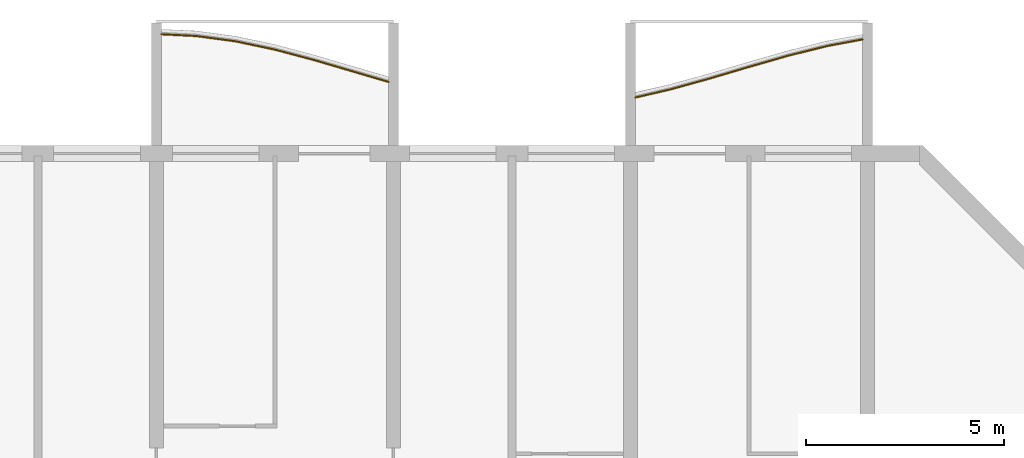
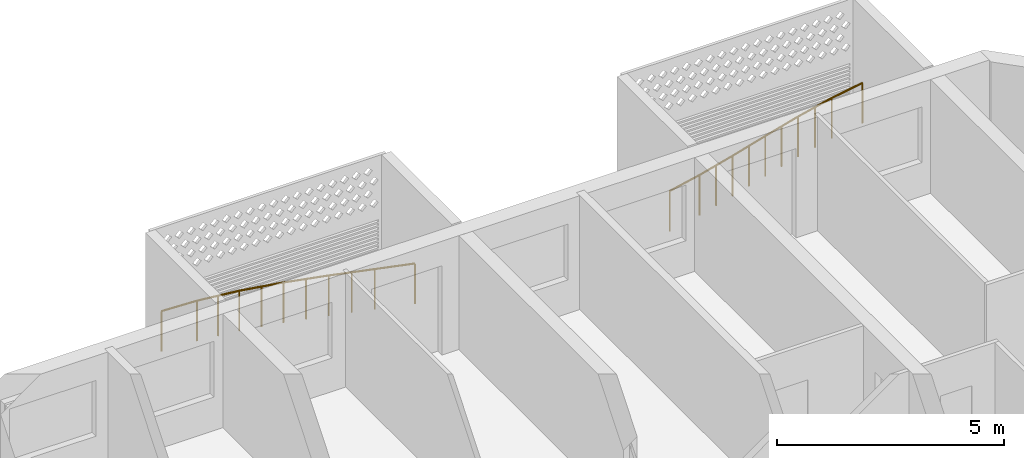
# One storey, part 28 of 29: 2 railings.
"""IFC4 building model written with IfcOpenShell, lengths in metres."""

from ifc_helpers import new_model, si_unit, direction, frame, origin, origin_2d, place, context, subcontext, project, spatial, circle, extrude, material, type_object, element, save


model = new_model("IFC4")

# Units and contexts
model_context = context("Model", 3, precision=1e-05, world=origin(), true_north=direction((0.0, 1.0)))
body_context = subcontext(model_context, "Body", "Model", "MODEL_VIEW")
ifc_project = project(units=[si_unit("LENGTHUNIT", "METRE"), si_unit("AREAUNIT", "SQUARE_METRE"), si_unit("VOLUMEUNIT", "CUBIC_METRE"), si_unit("PLANEANGLEUNIT", "RADIAN"), si_unit("MASSUNIT", "GRAM", prefix="KILO")], contexts=[model_context])

# Site, building, storey
site_placement = place(None, origin())
site = spatial("IfcSite", under=ifc_project, at=site_placement, CompositionType="ELEMENT")
building_placement = place(site_placement, origin())
building = spatial("IfcBuilding", under=site, at=building_placement, Name="Poui Terraces", CompositionType="ELEMENT")
storey_placement = place(building_placement, frame((0.0, 0.0, 86.10009765625)))
storey = spatial("IfcBuildingStorey", under=building, at=storey_placement, Name="L23", CompositionType="ELEMENT", Elevation=86.10009765625)

# Railings
ifc_material = material(Name="Painted steel fretwork", Category="steel")
railing_type = type_object("IfcRailingType", Name="BALCONY GUARD 1100", PredefinedType="GUARDRAIL", material=ifc_material)
railing_1_placement = place(storey_placement, frame((72.125, 46.61962890625, 0.0)))
element("IfcRailing", 1, at=railing_1_placement, inside=storey, type_object=railing_type, Name="BALCONY GUARD", PredefinedType="GUARDRAIL", context=body_context, shape_type="SweptSolid", body=[
    extrude(circle(Radius=0.02392578125, at=origin_2d()), frame((0.0, 0.0, 1.076171875), z_axis=(0.998768961938, -0.049604038846, 0.0), x_axis=(0.049604038846, 0.998768961938, 0.0)), (0.0, 0.0, 1.0), 0.8759765625),
    extrude(circle(Radius=0.02392578125, at=origin_2d()), frame((0.875, -0.04345703125, 1.076171875), z_axis=(0.991104904979, -0.133082934018, 0.0), x_axis=(0.133082934018, 0.991104904979, 0.0)), (0.0, 0.0, 1.0), 1.009033203125),
    extrude(circle(Radius=0.02392578125, at=origin_2d()), frame((1.875, -0.177734375, 1.076171875), z_axis=(0.978420335295, -0.206624411629, 0.0), x_axis=(0.206624411629, 0.978420335295, 0.0)), (0.0, 0.0, 1.0), 1.02197265625),
    extrude(circle(Radius=0.02392578125, at=origin_2d()), frame((2.875, -0.388916015625, 1.076171875), z_axis=(0.966309295868, -0.257383652781, 0.0), x_axis=(0.257383652781, 0.966309295868, 0.0)), (0.0, 0.0, 1.0), 1.034912109375),
    extrude(circle(Radius=0.02392578125, at=origin_2d()), frame((3.875, -0.6552734375, 1.076171875), z_axis=(0.959346851742, -0.282229725671, 0.0), x_axis=(0.282229725671, 0.959346851742, 0.0)), (0.0, 0.0, 1.0), 1.04248046875),
    extrude(circle(Radius=0.02392578125, at=origin_2d()), frame((4.875, -0.949462890625, 1.076171875), z_axis=(0.959663427085, -0.281151394654, 0.0), x_axis=(0.281151394654, 0.959663427085, 0.0)), (0.0, 0.0, 1.0), 0.911865234375),
    extrude(circle(Radius=0.02099609375, at=origin_2d()), origin(), (0.0, 0.0, 1.0), 1.052001953125),
    extrude(circle(Radius=0.02099609375, at=origin_2d()), frame((0.875, -0.04345703125, 0.0)), (0.0, 0.0, 1.0), 1.052001953125),
    extrude(circle(Radius=0.02099609375, at=origin_2d()), frame((1.375, -0.110595703125, 0.0)), (0.0, 0.0, 1.0), 1.052001953125),
    extrude(circle(Radius=0.02099609375, at=origin_2d()), frame((1.875, -0.177734375, 0.0)), (0.0, 0.0, 1.0), 1.052001953125),
    extrude(circle(Radius=0.02099609375, at=origin_2d()), frame((2.375, -0.283203125, 0.0)), (0.0, 0.0, 1.0), 1.052001953125),
    extrude(circle(Radius=0.02099609375, at=origin_2d()), frame((2.875, -0.388916015625, 0.0)), (0.0, 0.0, 1.0), 1.052001953125),
    extrude(circle(Radius=0.02099609375, at=origin_2d()), frame((3.375, -0.52197265625, 0.0)), (0.0, 0.0, 1.0), 1.052001953125),
    extrude(circle(Radius=0.02099609375, at=origin_2d()), frame((3.875, -0.6552734375, 0.0)), (0.0, 0.0, 1.0), 1.052001953125),
    extrude(circle(Radius=0.02099609375, at=origin_2d()), frame((4.375, -0.80224609375, 0.0)), (0.0, 0.0, 1.0), 1.052001953125),
    extrude(circle(Radius=0.02099609375, at=origin_2d()), frame((4.875, -0.949462890625, 0.0)), (0.0, 0.0, 1.0), 1.052001953125),
    extrude(circle(Radius=0.02099609375, at=origin_2d()), frame((5.75, -1.205810546875, 0.0)), (0.0, 0.0, 1.0), 1.052001953125),
])
railing_2_placement = place(storey_placement, frame((84.125, 45.019287109375, 0.0)))
element("IfcRailing", 2, at=railing_2_placement, inside=storey, type_object=railing_type, Name="BALCONY GUARD", PredefinedType="GUARDRAIL", context=body_context, shape_type="SweptSolid", body=[
    extrude(circle(Radius=0.02392578125, at=origin_2d()), frame((0.0, 0.0, 1.076171875), z_axis=(0.974276529724, 0.225355815609, 0.0), x_axis=(-0.225355815609, 0.974276529724, 0.0)), (0.0, 0.0, 1.0), 0.898193359375),
    extrude(circle(Radius=0.02392578125, at=origin_2d()), frame((0.875, 0.202392578125, 1.076171875), z_axis=(0.963928100541, 0.26616276409, 0.0), x_axis=(-0.26616276409, 0.963928100541, 0.0)), (0.0, 0.0, 1.0), 1.037353515625),
    extrude(circle(Radius=0.02392578125, at=origin_2d()), frame((1.875, 0.478515625, 1.076171875), z_axis=(0.958774495191, 0.284168026651, 0.0), x_axis=(-0.284168026651, 0.958774495191, 0.0)), (0.0, 0.0, 1.0), 1.04296875),
    extrude(circle(Radius=0.02392578125, at=origin_2d()), frame((2.875, 0.77490234375, 1.076171875), z_axis=(0.96141758688, 0.275093118121, 0.0), x_axis=(-0.275093118121, 0.96141758688, 0.0)), (0.0, 0.0, 1.0), 1.0400390625),
    extrude(circle(Radius=0.02392578125, at=origin_2d()), frame((3.875, 1.06103515625, 1.076171875), z_axis=(0.970918311966, 0.239411009542, 0.0), x_axis=(-0.239411009542, 0.970918311966, 0.0)), (0.0, 0.0, 1.0), 1.030029296875),
    extrude(circle(Radius=0.02392578125, at=origin_2d()), frame((4.875, 1.3076171875, 1.076171875), z_axis=(0.983119723729, 0.182963408406, 0.0), x_axis=(-0.182963408406, 0.983119723729, 0.0)), (0.0, 0.0, 1.0), 0.89013671875),
    extrude(circle(Radius=0.02099609375, at=origin_2d()), origin(), (0.0, 0.0, 1.0), 1.052001953125),
    extrude(circle(Radius=0.02099609375, at=origin_2d()), frame((0.875, 0.202392578125, 0.0)), (0.0, 0.0, 1.0), 1.052001953125),
    extrude(circle(Radius=0.02099609375, at=origin_2d()), frame((1.375, 0.34033203125, 0.0)), (0.0, 0.0, 1.0), 1.052001953125),
    extrude(circle(Radius=0.02099609375, at=origin_2d()), frame((1.875, 0.478515625, 0.0)), (0.0, 0.0, 1.0), 1.052001953125),
    extrude(circle(Radius=0.02099609375, at=origin_2d()), frame((2.375, 0.626708984375, 0.0)), (0.0, 0.0, 1.0), 1.052001953125),
    extrude(circle(Radius=0.02099609375, at=origin_2d()), frame((2.875, 0.77490234375, 0.0)), (0.0, 0.0, 1.0), 1.052001953125),
    extrude(circle(Radius=0.02099609375, at=origin_2d()), frame((3.375, 0.91796875, 0.0)), (0.0, 0.0, 1.0), 1.052001953125),
    extrude(circle(Radius=0.02099609375, at=origin_2d()), frame((3.875, 1.06103515625, 0.0)), (0.0, 0.0, 1.0), 1.052001953125),
    extrude(circle(Radius=0.02099609375, at=origin_2d()), frame((4.375, 1.184326171875, 0.0)), (0.0, 0.0, 1.0), 1.052001953125),
    extrude(circle(Radius=0.02099609375, at=origin_2d()), frame((4.875, 1.3076171875, 0.0)), (0.0, 0.0, 1.0), 1.052001953125),
    extrude(circle(Radius=0.02099609375, at=origin_2d()), frame((5.75, 1.470458984375, 0.0)), (0.0, 0.0, 1.0), 1.052001953125),
])

save(model, "model.ifc")
